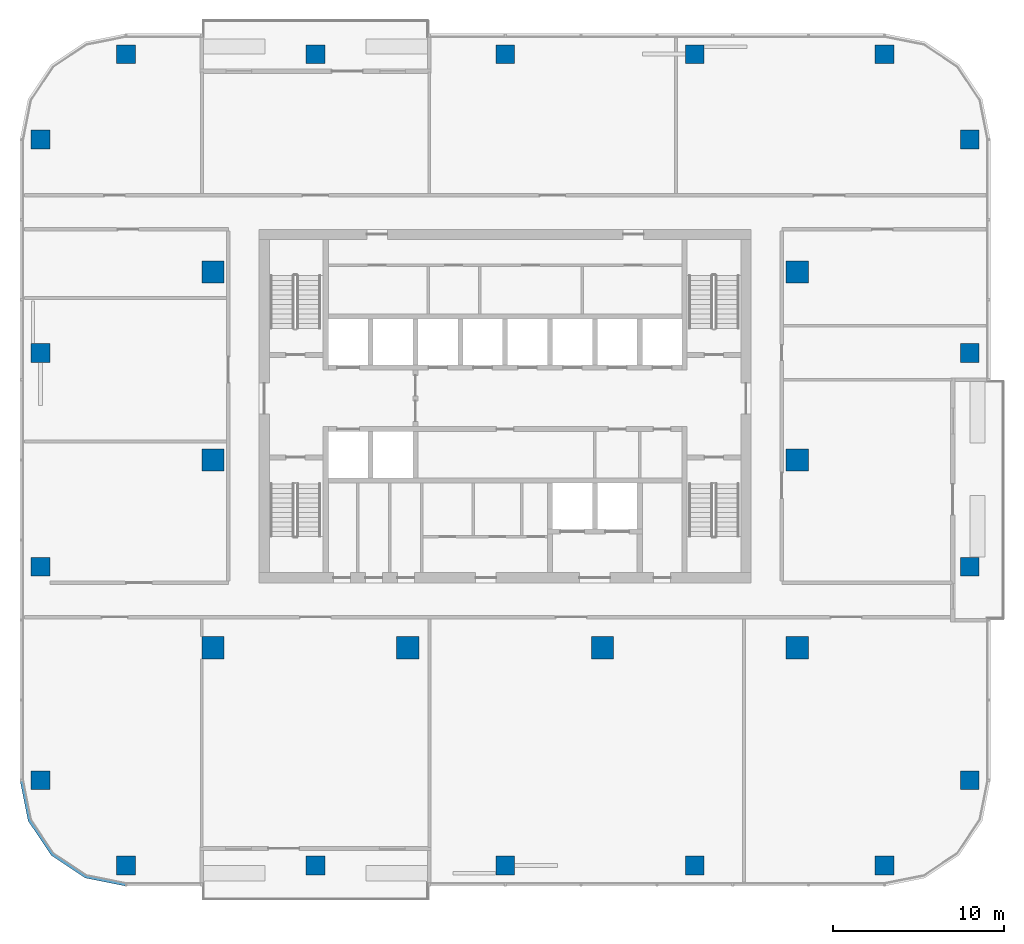
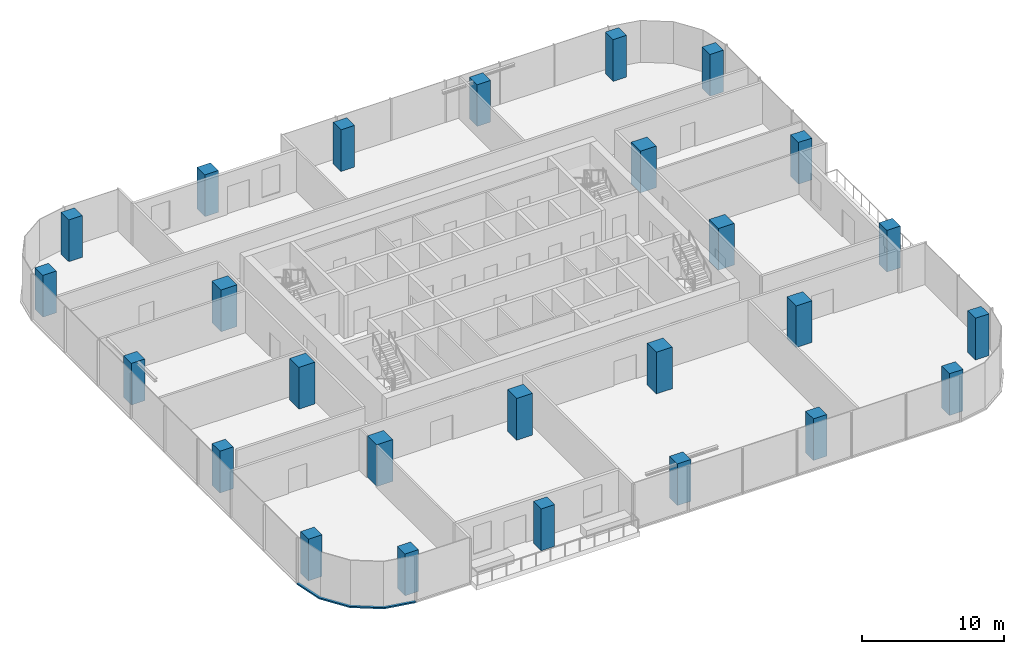
# One storey, part 1 of 14: 26 columns, 1 member, 1 element without a shape of its own.
"""IFC4 building model written with IfcOpenShell, lengths in metres."""

from ifc_helpers import new_model, si_unit, direction, frame, origin, origin_2d, place, context, subcontext, project, spatial, polyline, rectangle, outline, extrude, material, material_profile, profile_set, type_object, element, aggregate, save


model = new_model("IFC4")

# Units and contexts
model_context = context("Model", 3, precision=1e-05, world=origin(), true_north=direction((0.0, 1.0)))
body_context = subcontext(model_context, "Body", "Model", "MODEL_VIEW")
ifc_project = project(units=[si_unit("LENGTHUNIT", "METRE"), si_unit("AREAUNIT", "SQUARE_METRE"), si_unit("VOLUMEUNIT", "CUBIC_METRE"), si_unit("PLANEANGLEUNIT", "RADIAN"), si_unit("MASSUNIT", "GRAM", prefix="KILO")], contexts=[model_context])

# Site, building, storey
site_placement = place(None, origin())
site = spatial("IfcSite", under=ifc_project, at=site_placement, CompositionType="ELEMENT")
building_placement = place(site_placement, origin())
building = spatial("IfcBuilding", under=site, at=building_placement, Name="Mopane Tessera Tower", CompositionType="ELEMENT")
storey_placement = place(building_placement, frame((0.0, 0.0, 231.0)))
storey = spatial("IfcBuildingStorey", under=building, at=storey_placement, Name="L49", CompositionType="ELEMENT", Elevation=231.0)

# Columns
ifc_material_1 = material(Name="Concrete C50/60", Category="concrete")
ifc_material_profile_1 = material_profile(ifc_material_1, rectangle(XDim=1.300048828125, YDim=1.300048828125, at=origin_2d()))
ifc_profile_set_1 = profile_set([ifc_material_profile_1], Name="Concrete C50/60")
column_type_1 = type_object("IfcColumnType", Name="Interior column 1300 x 1300 C50/60", PredefinedType="COLUMN", material=ifc_profile_set_1)
for number, where, z_axis, x_axis, name in (
    (1, (-17.10009765625, -11.0, 0.0), (0.0, 0.0, 1.0), (1.0, 0.0, 0.0), "Interior column I1A L49"),
    (2, (-17.10009765625, 0.0, 0.0), (0.0, 0.0, 1.0), (1.0, 0.0, 0.0), "Interior column I1B L49"),
    (3, (-17.10009765625, 11.0, 0.0), (0.0, 0.0, 1.0), (1.0, 0.0, 0.0), "Interior column I1C L49"),
    (4, (-5.699951171875, -11.0, 0.0), (0.0, 0.0, 1.0), (1.0, 0.0, 0.0), "Interior column I2A L49"),
    (5, (5.699951171875, -11.0, 0.0), (0.0, 0.0, 1.0), (1.0, 0.0, 0.0), "Interior column I3A L49"),
    (6, (17.10009765625, -11.0, 0.0), (0.0, 0.0, 1.0), (1.0, 0.0, 0.0), "Interior column I4A L49"),
    (7, (17.10009765625, 0.0, 0.0), (0.0, 0.0, 1.0), (1.0, 0.0, 0.0), "Interior column I4B L49"),
    (8, (17.10009765625, 11.0, 0.0), (0.0, 0.0, 1.0), (1.0, 0.0, 0.0), "Interior column I4C L49"),
):
    element("IfcColumn", number, at=place(storey_placement, frame(where, z_axis=z_axis, x_axis=x_axis)), inside=storey, type_object=column_type_1, Name=name, PredefinedType="COLUMN", context=body_context, shape_type="SweptSolid", body=[
        extrude(rectangle(XDim=1.300048828125, YDim=1.300048828125, at=origin_2d()), origin(), (0.0, 0.0, 1.0), 3.60009765625),
    ])
ifc_material_2 = material(Name="Concrete C50/60", Category="concrete")
ifc_material_profile_2 = material_profile(ifc_material_2, rectangle(XDim=1.10009765625, YDim=1.10009765625, at=origin_2d()))
ifc_profile_set_2 = profile_set([ifc_material_profile_2], Name="Concrete C50/60")
column_type_2 = type_object("IfcColumnType", Name="Ring column 1100 x 1100 C50/60", PredefinedType="COLUMN", material=ifc_profile_set_2)
for number, where, z_axis, x_axis, name in (
    (9, (-22.199951171875, -23.75, 0.0), (0.0, 0.0, 1.0), (1.0, 0.0, 0.0), "Ring column S0 L49"),
    (10, (-11.10009765625, -23.75, 0.0), (0.0, 0.0, 1.0), (1.0, 0.0, 0.0), "Ring column S1 L49"),
    (11, (0.0, -23.75, 0.0), (0.0, 0.0, 1.0), (1.0, 0.0, 0.0), "Ring column S2 L49"),
    (12, (11.10009765625, -23.75, 0.0), (0.0, 0.0, 1.0), (1.0, 0.0, 0.0), "Ring column S3 L49"),
    (13, (22.199951171875, -23.75, 0.0), (0.0, 0.0, 1.0), (1.0, 0.0, 0.0), "Ring column S4 L49"),
    (14, (27.199951171875, -18.75, 0.0), (0.0, 0.0, 1.0), (1.0, 0.0, 0.0), "Ring column E0 L49"),
    (15, (27.199951171875, -6.25, 0.0), (0.0, 0.0, 1.0), (1.0, 0.0, 0.0), "Ring column E1 L49"),
    (16, (27.199951171875, 6.25, 0.0), (0.0, 0.0, 1.0), (1.0, 0.0, 0.0), "Ring column E2 L49"),
    (17, (27.199951171875, 18.75, 0.0), (0.0, 0.0, 1.0), (1.0, 0.0, 0.0), "Ring column E3 L49"),
    (18, (22.199951171875, 23.75, 0.0), (0.0, 0.0, 1.0), (1.0, 0.0, 0.0), "Ring column N0 L49"),
    (19, (11.10009765625, 23.75, 0.0), (0.0, 0.0, 1.0), (1.0, 0.0, 0.0), "Ring column N1 L49"),
    (20, (0.0, 23.75, 0.0), (0.0, 0.0, 1.0), (1.0, 0.0, 0.0), "Ring column N2 L49"),
    (21, (-11.10009765625, 23.75, 0.0), (0.0, 0.0, 1.0), (1.0, 0.0, 0.0), "Ring column N3 L49"),
    (22, (-22.199951171875, 23.75, 0.0), (0.0, 0.0, 1.0), (1.0, 0.0, 0.0), "Ring column N4 L49"),
    (23, (-27.199951171875, 18.75, 0.0), (0.0, 0.0, 1.0), (1.0, 0.0, 0.0), "Ring column W0 L49"),
    (24, (-27.199951171875, 6.25, 0.0), (0.0, 0.0, 1.0), (1.0, 0.0, 0.0), "Ring column W1 L49"),
    (25, (-27.199951171875, -6.25, 0.0), (0.0, 0.0, 1.0), (1.0, 0.0, 0.0), "Ring column W2 L49"),
    (26, (-27.199951171875, -18.75, 0.0), (0.0, 0.0, 1.0), (1.0, 0.0, 0.0), "Ring column W3 L49"),
):
    element("IfcColumn", number, at=place(storey_placement, frame(where, z_axis=z_axis, x_axis=x_axis)), inside=storey, type_object=column_type_2, Name=name, PredefinedType="COLUMN", context=body_context, shape_type="SweptSolid", body=[
        extrude(rectangle(XDim=1.10009765625, YDim=1.10009765625, at=origin_2d()), origin(), (0.0, 0.0, 1.0), 3.60009765625),
    ])

# Curtain wall, member
ifc_material_3 = material(Name="Aluminium frame", Category="aluminium")
curtain_wall_type = type_object("IfcCurtainWallType", Name="Unitised curtain wall", PredefinedType="NOTDEFINED", material=ifc_material_3)
curtain_wall_placement = place(storey_placement, origin())
curtain_wall = element("IfcCurtainWall", 27, at=curtain_wall_placement, inside=storey, type_object=curtain_wall_type, Name="e:cw:L49:CW", PredefinedType="NOTDEFINED")
ifc_material_4 = material(Name="Aluminium frame", Category="aluminium")
ifc_material_profile_3 = material_profile(ifc_material_4, rectangle(XDim=0.199951171875, YDim=0.1201171875, at=origin_2d()))
ifc_profile_set_3 = profile_set([ifc_material_profile_3], Name="Aluminium frame")
member_type = type_object("IfcMemberType", Name="Aluminium transom 200 x 120", PredefinedType="USERDEFINED", material=ifc_profile_set_3)
member_placement = place(storey_placement, frame((0.0, 0.0, -0.39990234375)))
member = element("IfcMember", 28, at=member_placement, type_object=member_type, Name="e:cw:L49:CW:tr", ObjectType="TRANSOM", PredefinedType="USERDEFINED", context=body_context, shape_type="SweptSolid", body=[
    extrude(outline(polyline([(-28.199951171875, -18.75), (-27.7431640625, -21.046142578125), (-26.442626953125, -22.99267578125), (-24.49609375, -24.293212890625), (-22.199951171875, -24.75), (-22.199951171875, -24.949951171875), (-24.57275390625, -24.47802734375), (-26.583984375, -23.134033203125), (-27.927978515625, -21.12255859375), (-28.39990234375, -18.75), (-28.199951171875, -18.75)])), origin(), (0.0, 0.0, 1.0), 0.119873046875),
])
aggregate(curtain_wall, [member])

save(model, "model.ifc")
